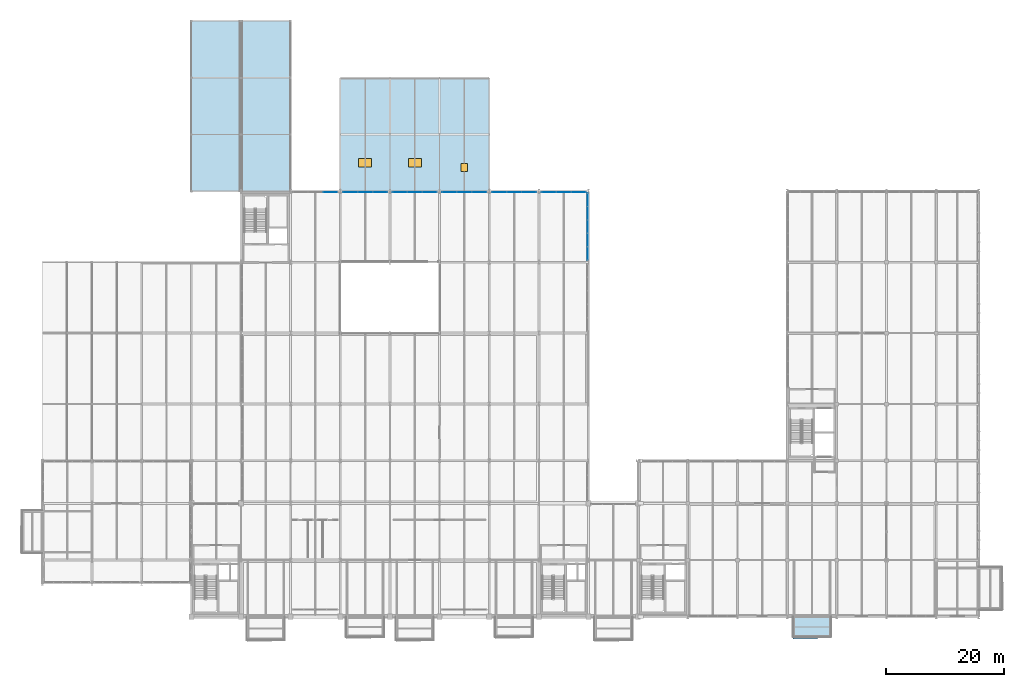
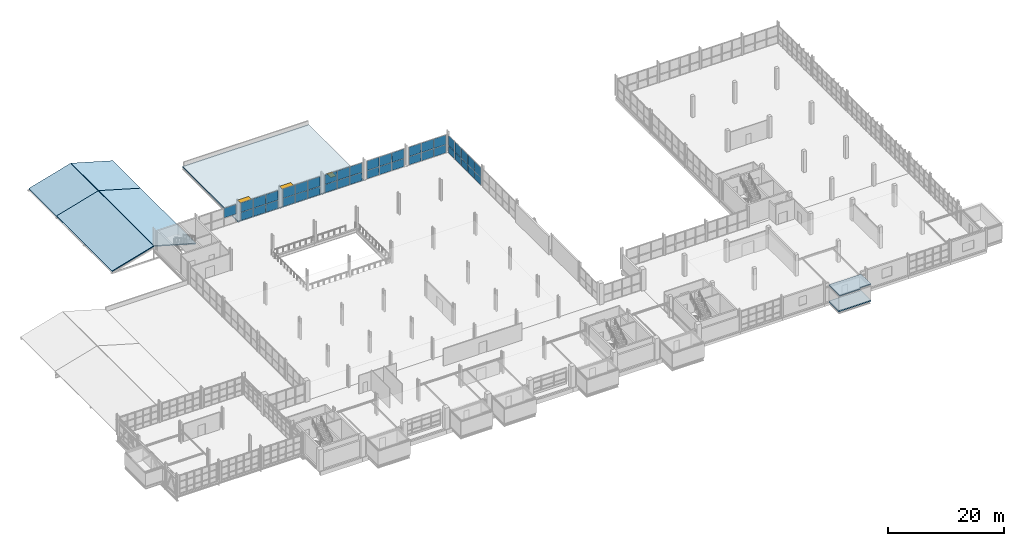
# One storey, part 109 of 130: 41 plates, 7 slabs, 2 windows, 1 door, 3 openings, 7 elements without a shape of their own.
"""IFC4 building model written with IfcOpenShell, lengths in metres."""

import ifcopenshell
import ifcopenshell.guid

model = None  # the IFC model being written
_history = None  # IfcOwnerHistory: only IFC2X3 demands one
_inside = {}  # id of a spatial element -> (the spatial element, [elements in it])
_under = {}  # id of a project, library or spatial element -> (it, [spatial elements below it])
_declared = {}  # id of a project -> (the project, [libraries it declares])
_typed = {}  # id of a type object -> (the type object, [elements of that type])
_made_of = {}  # id of a material, layer set ... -> (it, [elements and type objects made of it])


def new_model(schema):
    """Start an empty IFC model of exactly this schema.

    Asked for "IFC4X3", IfcOpenShell would pick the latest addendum, in which some entities
    have other attributes; the version numbers below select the first issue.
    IFC2X3 requires an IfcOwnerHistory on every rooted entity: one is made here for all.
    """
    global model, _history
    if schema == "IFC4X3":
        model = ifcopenshell.file(schema_version=(4, 3, 0, 0))
    else:
        model = ifcopenshell.file(schema=schema)
    _inside.clear()
    _under.clear()
    _declared.clear()
    _typed.clear()
    _made_of.clear()
    _history = None
    if model.schema == "IFC2X3":
        org = make("IfcOrganization", Name="unknown")
        user = make(
            "IfcPersonAndOrganization",
            ThePerson=make("IfcPerson", FamilyName="unknown"),
            TheOrganization=org,
        )
        app = make(
            "IfcApplication",
            ApplicationDeveloper=org,
            Version="unknown",
            ApplicationFullName="unknown",
            ApplicationIdentifier="unknown",
        )
        _history = make(
            "IfcOwnerHistory",
            OwningUser=user,
            OwningApplication=app,
            ChangeAction="ADDED",
            CreationDate=0,
        )
    return model


def make(cls, **values):
    """One entity of the class cls with the attributes given. An attribute that is None is left unset."""
    return model.create_entity(
        cls, **{name: value for name, value in values.items() if value is not None}
    )


def rooted(cls, **values):
    """An entity with a GlobalId (a new one), such as an element, a storey or a relation."""
    return make(cls, GlobalId=ifcopenshell.guid.new(), OwnerHistory=_history, **values)


def si_unit(unit_type, name, prefix=None):
    """IfcSIUnit, for example si_unit("LENGTHUNIT", "METRE", prefix="MILLI")."""
    return make("IfcSIUnit", UnitType=unit_type, Prefix=prefix, Name=name)


def assignment(units):
    """IfcUnitAssignment: the units of a project."""
    return None if units is None else make("IfcUnitAssignment", Units=units)


def point(xyz):
    """IfcCartesianPoint."""
    return None if xyz is None else make("IfcCartesianPoint", Coordinates=xyz)


def direction(xyz):
    """IfcDirection."""
    return None if xyz is None else make("IfcDirection", DirectionRatios=xyz)


def frame(location, z_axis=None, x_axis=None):
    """IfcAxis2Placement3D, a coordinate frame: its origin and axes. An axis left out is left unset."""
    return make(
        "IfcAxis2Placement3D",
        Location=point(location),
        Axis=direction(z_axis),
        RefDirection=direction(x_axis),
    )


def frame_2d(location, x_axis=None):
    """IfcAxis2Placement2D, a coordinate frame in the plane: its origin and x axis."""
    return make(
        "IfcAxis2Placement2D", Location=point(location), RefDirection=direction(x_axis)
    )


def origin():
    """The frame at (0, 0, 0) with its axes left unset."""
    return frame((0.0, 0.0, 0.0))


def origin_2d():
    """The frame at (0, 0) in the plane with its x axis left unset."""
    return frame_2d((0.0, 0.0))


def place(relative_to, where):
    """IfcLocalPlacement: puts the frame where relative to a parent placement (None: the world)."""
    return make(
        "IfcLocalPlacement", PlacementRelTo=relative_to, RelativePlacement=where
    )


def context(
    kind, dimensions, precision=None, world=None, true_north=None, identifier=None
):
    """IfcGeometricRepresentationContext, for example the 3D "Model" context."""
    return make(
        "IfcGeometricRepresentationContext",
        ContextIdentifier=identifier,
        ContextType=kind,
        CoordinateSpaceDimension=dimensions,
        Precision=precision,
        WorldCoordinateSystem=world,
        TrueNorth=true_north,
    )


def subcontext(parent, identifier, kind, view, scale=None):
    """IfcGeometricRepresentationSubContext, for example "Body" below "Model"."""
    return make(
        "IfcGeometricRepresentationSubContext",
        ContextIdentifier=identifier,
        ContextType=kind,
        ParentContext=parent,
        TargetScale=scale,
        TargetView=view,
    )


def project(units=None, contexts=None):
    """IfcProject with its units and contexts."""
    return rooted(
        "IfcProject",
        Name="project",
        RepresentationContexts=contexts,
        UnitsInContext=assignment(units),
    )


def spatial(cls, under=None, at=None, **own):
    """A site, building, storey or space (cls), placed at a placement, below another one or the project."""
    s = rooted(cls, ObjectPlacement=at, **own)
    if under is not None:
        _under.setdefault(under.id(), (under, []))[1].append(s)
    return s


def polyline(points):
    """IfcPolyline through the points."""
    return make("IfcPolyline", Points=[point(p) for p in points])


def profile(cls, at=None, kind="AREA", **sizes):
    """A parametric profile (cls). Its sizes go by their IFC names, for example OverallWidth=200.0."""
    return make(cls, ProfileType=kind, Position=at, **sizes)


def rectangle(**sizes):
    """IfcRectangleProfileDef."""
    return profile("IfcRectangleProfileDef", **sizes)


def outline(outer, holes=None, kind="AREA"):
    """IfcArbitraryClosedProfileDef: a profile drawn as a closed curve; with holes, ...WithVoids."""
    if holes is None:
        return make("IfcArbitraryClosedProfileDef", ProfileType=kind, OuterCurve=outer)
    return make(
        "IfcArbitraryProfileDefWithVoids",
        ProfileType=kind,
        OuterCurve=outer,
        InnerCurves=holes,
    )


def extrude(swept, where, along, depth):
    """IfcExtrudedAreaSolid: the profile swept, set in the frame where, extruded along a direction by depth."""
    return make(
        "IfcExtrudedAreaSolid",
        SweptArea=swept,
        Position=where,
        ExtrudedDirection=direction(along),
        Depth=depth,
    )


def shape(context_of_items, identifier, shape_type, items):
    """IfcShapeRepresentation: the items that make up one representation, for example the "Body"."""
    return make(
        "IfcShapeRepresentation",
        ContextOfItems=context_of_items,
        RepresentationIdentifier=identifier,
        RepresentationType=shape_type,
        Items=items,
    )


def material(Name=None, Category=None):
    """IfcMaterial."""
    return make("IfcMaterial", Name=Name, Category=Category)


def layer(
    of_material, thickness, ventilated=None, Name=None, Category=None, Priority=None
):
    """IfcMaterialLayer: one layer of a wall or slab, of a material (None: an air gap)."""
    return make(
        "IfcMaterialLayer",
        Material=of_material,
        LayerThickness=thickness,
        IsVentilated=ventilated,
        Name=Name,
        Category=Category,
        Priority=Priority,
    )


def layer_set(layers, Name=None):
    """IfcMaterialLayerSet."""
    return make("IfcMaterialLayerSet", MaterialLayers=layers, LayerSetName=Name)


def made_of(thing, what):
    """Note that an element or type object is made of a material, layer set ...; save() writes the relation."""
    if what is not None:
        _made_of.setdefault(what.id(), (what, []))[1].append(thing)
    return thing


def type_object(cls, material=None, **own):
    """A type object (cls), such as IfcWallType, which elements share."""
    return made_of(rooted(cls, **own), material)


def element(
    cls,
    number,
    at=None,
    inside=None,
    cuts=None,
    type_object=None,
    material=None,
    context=None,
    identifier="Body",
    shape_type=None,
    held_by="IfcProductDefinitionShape",
    body=None,
    shapes=None,
    **own,
):
    """One element of the class cls, such as IfcWall. Its Tag is "e" and its number.

    at: its placement. inside: the storey or other place that contains it. cuts: it is an
    opening in that element (IfcRelVoidsElement). A single representation is given by context,
    identifier, shape_type and body (its items); several are given by shapes. held_by: the class
    of the entity that holds the representations. save() writes the other relations.
    """
    e = rooted(cls, Tag="e%d" % number, ObjectPlacement=at, **own)
    if body is not None:
        shapes = [shape(context, identifier, shape_type, body)]
    if shapes is not None:
        e.Representation = make(held_by, Representations=shapes)
    if inside is not None:
        _inside.setdefault(inside.id(), (inside, []))[1].append(e)
    if cuts is not None:
        rooted(
            "IfcRelVoidsElement", RelatingBuildingElement=cuts, RelatedOpeningElement=e
        )
    if type_object is not None:
        _typed.setdefault(type_object.id(), (type_object, []))[1].append(e)
    return made_of(e, material)


def fill(opening, filler):
    """IfcRelFillsElement: the door or window that sits in an opening."""
    return rooted(
        "IfcRelFillsElement",
        RelatingOpeningElement=opening,
        RelatedBuildingElement=filler,
    )


def aggregate(whole, parts):
    """IfcRelAggregates: a whole, such as a stair, and the parts it consists of."""
    return rooted("IfcRelAggregates", RelatingObject=whole, RelatedObjects=parts)


def save(model, path):
    """Write the relations noted so far, then the file.

    IfcRelAggregates (storeys below a building ...), IfcRelContainedInSpatialStructure (elements
    in a storey), IfcRelDefinesByType, IfcRelAssociatesMaterial and IfcRelDeclares: one each for
    every whole, place, type object, material and project.
    """
    for whole, parts in _under.values():
        aggregate(whole, parts)
    for where, things in _inside.values():
        rooted(
            "IfcRelContainedInSpatialStructure",
            RelatedElements=things,
            RelatingStructure=where,
        )
    for kind, things in _typed.values():
        rooted("IfcRelDefinesByType", RelatedObjects=things, RelatingType=kind)
    for what, things in _made_of.values():
        rooted("IfcRelAssociatesMaterial", RelatedObjects=things, RelatingMaterial=what)
    for by, libraries in _declared.values():
        rooted("IfcRelDeclares", RelatingContext=by, RelatedDefinitions=libraries)
    model.write(path)


model = new_model("IFC4")

# Units and contexts
model_context = context("Model", 3, precision=1e-05, world=origin(), true_north=direction((0.0, 1.0)))
body_context = subcontext(model_context, "Body", "Model", "MODEL_VIEW")
ifc_project = project(units=[si_unit("LENGTHUNIT", "METRE"), si_unit("AREAUNIT", "SQUARE_METRE"), si_unit("VOLUMEUNIT", "CUBIC_METRE"), si_unit("PLANEANGLEUNIT", "RADIAN"), si_unit("MASSUNIT", "GRAM", prefix="KILO")], contexts=[model_context])

# Site, building, storey
site_placement = place(None, origin())
site = spatial("IfcSite", under=ifc_project, at=site_placement, CompositionType="ELEMENT")
building_placement = place(site_placement, origin())
building = spatial("IfcBuilding", under=site, at=building_placement, Name="Veltarok Museum of Natural Sciences", CompositionType="ELEMENT")
storey_placement = place(building_placement, frame((0.0, 0.0, 12.89990234375)))
storey = spatial("IfcBuildingStorey", under=building, at=storey_placement, Name="L02", CompositionType="ELEMENT", Elevation=12.89990234375)

# Slabs
ifc_material_1 = material(Name="Concrete C35/45", Category="concrete")
ifc_layer_1 = layer(ifc_material_1, 0.199951171875)
ifc_layer_set_1 = layer_set([ifc_layer_1], Name="Concrete C35/45")
slab_type_1 = type_object("IfcSlabType", Name="Cantilevered Cabinet Box Roof Slab 200", PredefinedType="ROOF", material=ifc_layer_set_1)
slab_1_placement = place(storey_placement, frame((0.0, 0.0, 3.25)))
element("IfcSlab", 1, at=slab_1_placement, inside=storey, type_object=slab_type_1, Name="Cabinet Box Roof Slab DB-12", PredefinedType="ROOF", context=body_context, shape_type="SweptSolid", body=[
    extrude(outline(polyline([(133.39990234375, -3.780029296875), (137.56005859375, -3.780029296875), (137.56005859375, -3.39990234375), (139.800048828125, -3.39990234375), (139.800048828125, 0.0), (133.39990234375, 0.0), (133.39990234375, -3.780029296875)])), origin(), (0.0, 0.0, 1.0), 0.2001953125),
])
ifc_material_2 = material(Name="Precast concrete C40/50", Category="concrete")
ifc_layer_2 = layer(ifc_material_2, 0.199951171875)
ifc_layer_set_2 = layer_set([ifc_layer_2], Name="Precast concrete C40/50")
slab_type_2 = type_object("IfcSlabType", Name="Glazed Passage Pitched Roof Deck 200", PredefinedType="ROOF", material=ifc_layer_set_2)
for number, where, z_axis, x_axis, name in (
    (2, (31.60009765625, 72.0, -1.699951171875), (-0.276201352534, 0.0, 0.961099793392), (0.961099793392, 0.0, 0.276201352534), "Glazed Passage Pitched Roof 1"),
    (3, (40.048095703125, 72.0, 0.7001953125), (0.276201352534, 0.0, 0.961099793392), (0.961099793392, 0.0, -0.276201352534), "Glazed Passage Pitched Roof 2"),
):
    element("IfcSlab", number, at=place(storey_placement, frame(where, z_axis=z_axis, x_axis=x_axis)), inside=storey, type_object=slab_type_2, Name=name, PredefinedType="ROOF", context=body_context, shape_type="SweptSolid", body=[
        extrude(outline(polyline([(0.0, 0.0), (8.689843342019781, 0.0), (8.689843342019781, 19.199951171875), (0.0, 19.199951171875), (0.0, 0.0)])), origin(), (0.0, 0.0, -1.0), 0.199951171875),
    ])
for number, where, z_axis, x_axis, name in (
    (4, (31.60009765625, 91.199951171875, -1.699951171875), (-0.276201352534, 0.0, 0.961099793392), (0.961099793392, 0.0, 0.276201352534), "Glazed Passage Pitched Roof 3"),
    (5, (40.048095703125, 91.199951171875, 0.7001953125), (0.276201352534, 0.0, 0.961099793392), (0.961099793392, 0.0, -0.276201352534), "Glazed Passage Pitched Roof 4"),
):
    element("IfcSlab", number, at=place(storey_placement, frame(where, z_axis=z_axis, x_axis=x_axis)), inside=storey, type_object=slab_type_2, Name=name, PredefinedType="ROOF", context=body_context, shape_type="SweptSolid", body=[
        extrude(outline(polyline([(0.0, 0.0), (8.689843342019781, 0.0), (8.689843342019781, 9.60009765625), (0.0, 9.60009765625), (0.0, 0.0)])), origin(), (0.0, 0.0, -1.0), 0.199951171875),
    ])

# Slab, openings, windows, door
ifc_layer_3 = layer(ifc_material_1, 0.239990234375)
ifc_layer_set_3 = layer_set([ifc_layer_3], Name="Concrete C35/45")
slab_type_3 = type_object("IfcSlabType", Name="Insulated Flat Wing Roof Slab 240", PredefinedType="ROOF", material=ifc_layer_set_3)
slab_2_placement = place(storey_placement, frame((0.0, 0.0, -0.239990234375)))
slab_2 = element("IfcSlab", 6, at=slab_2_placement, inside=storey, type_object=slab_type_3, Name="Flat Wing Roof Slab RF-V2N", PredefinedType="ROOF", context=body_context, shape_type="SweptSolid", body=[
    extrude(outline(polyline([(56.800048828125, 72.0), (56.800048828125, 91.199951171875), (82.0, 91.199951171875), (82.0, 72.0), (56.800048828125, 72.0)])), origin(), (0.0, 0.0, 1.0), 0.239990234375),
])
opening_1_placement = place(slab_2_placement, frame((61.0, 76.800048828125, -0.010009765625)))
opening_1 = element("IfcOpeningElement", 7, at=opening_1_placement, cuts=slab_2, Name="Opening SK-17", PredefinedType="OPENING", context=body_context, shape_type="SweptSolid", body=[
    extrude(rectangle(XDim=2.199951171875, YDim=1.39990234375, at=origin_2d()), origin(), (0.0, 0.0, 1.0), 0.320068359375),
])
opening_2_placement = place(slab_2_placement, frame((69.39990234375, 76.800048828125, -0.010009765625)))
opening_2 = element("IfcOpeningElement", 8, at=opening_2_placement, cuts=slab_2, Name="Opening SK-18", PredefinedType="OPENING", context=body_context, shape_type="SweptSolid", body=[
    extrude(rectangle(XDim=2.199951171875, YDim=1.39990234375, at=origin_2d()), origin(), (0.0, 0.0, 1.0), 0.320068359375),
])
opening_3_placement = place(slab_2_placement, frame((77.800048828125, 76.0, -0.010009765625)))
opening_3 = element("IfcOpeningElement", 9, at=opening_3_placement, cuts=slab_2, Name="Opening HT-02", PredefinedType="OPENING", context=body_context, shape_type="SweptSolid", body=[
    extrude(rectangle(XDim=1.10009765625, YDim=1.39990234375, at=origin_2d()), origin(), (0.0, 0.0, 1.0), 0.320068359375),
])
ifc_material_3 = material(Name="Low-iron triple insulated glass", Category="glass")
window_type = type_object("IfcWindowType", Name="Cabinet Spine Gallery Skylight 2200x1400", PartitioningType="SINGLE_PANEL", PredefinedType="SKYLIGHT", material=ifc_material_3)
window_1_placement = place(slab_2_placement, frame((61.0, 76.800048828125, 0.239990234375)))
window_1 = element("IfcWindow", 10, at=window_1_placement, inside=storey, type_object=window_type, Name="Gallery Rooflight SK-17", OverallHeight=1.39990234375, OverallWidth=2.199951171875, PartitioningType="SINGLE_PANEL", PredefinedType="SKYLIGHT", context=body_context, shape_type="SweptSolid", body=[
    extrude(rectangle(XDim=2.199951171875, YDim=1.39990234375, at=origin_2d()), origin(), (0.0, 0.0, 1.0), 0.06005859375),
])
fill(opening_1, window_1)
window_2_placement = place(slab_2_placement, frame((69.39990234375, 76.800048828125, 0.239990234375)))
window_2 = element("IfcWindow", 11, at=window_2_placement, inside=storey, type_object=window_type, Name="Gallery Rooflight SK-18", OverallHeight=1.39990234375, OverallWidth=2.199951171875, PartitioningType="SINGLE_PANEL", PredefinedType="SKYLIGHT", context=body_context, shape_type="SweptSolid", body=[
    extrude(rectangle(XDim=2.199951171875, YDim=1.39990234375, at=origin_2d()), origin(), (0.0, 0.0, 1.0), 0.06005859375),
])
fill(opening_2, window_2)
ifc_material_4 = material(Name="Insulated aluminium curb hatch", Category="aluminium")
door_type = type_object("IfcDoorType", Name="Insulated Roof Maintenance Access Hatch 1100x1400", OperationType="SINGLE_SWING_LEFT", PredefinedType="TRAPDOOR", material=ifc_material_4)
door_placement = place(slab_2_placement, frame((77.800048828125, 76.0, 0.239990234375)))
door = element("IfcDoor", 12, at=door_placement, inside=storey, type_object=door_type, Name="Roof Maintenance Access Hatch HT-02", OperationType="SINGLE_SWING_LEFT", OverallHeight=1.39990234375, OverallWidth=1.10009765625, PredefinedType="TRAPDOOR", context=body_context, shape_type="SweptSolid", body=[
    extrude(rectangle(XDim=1.10009765625, YDim=1.39990234375, at=origin_2d()), origin(), (0.0, 0.0, 1.0), 0.06005859375),
])
fill(opening_3, door)

# Slab
ifc_layer_4 = layer(ifc_material_1, 0.25)
ifc_layer_set_4 = layer_set([ifc_layer_4], Name="Concrete C35/45")
slab_type_4 = type_object("IfcSlabType", Name="Suspended Museum Floor Slab 250", PredefinedType="FLOOR", material=ifc_layer_set_4)
slab_3_placement = place(storey_placement, frame((0.0, 0.0, -0.25)))
element("IfcSlab", 13, at=slab_3_placement, inside=storey, type_object=slab_type_4, Name="Cabinet Box Floor Slab DB-12", PredefinedType="FLOOR", context=body_context, shape_type="SweptSolid", body=[
    extrude(outline(polyline([(133.39990234375, -3.39990234375), (139.800048828125, -3.39990234375), (139.800048828125, 0.0), (133.39990234375, 0.0), (133.39990234375, -3.39990234375)])), origin(), (0.0, 0.0, 1.0), 0.25),
])

# Curtain wall, plate
curtain_wall_type_1 = type_object("IfcCurtainWallType", Name="Curtain Wall System CW-V2N-L02-6-756x388 (V2 North Hall L02 6-7 756x388cm)", PredefinedType="NOTDEFINED", material=ifc_material_3)
curtain_wall_1_placement = place(storey_placement, origin())
curtain_wall_1 = element("IfcCurtainWall", 14, at=curtain_wall_1_placement, inside=storey, type_object=curtain_wall_type_1, Name="Curtain Wall CW-V2N-L02-6-756x388 CW-0049", PredefinedType="NOTDEFINED")
ifc_layer_5 = layer(ifc_material_3, 0.028076171875)
ifc_layer_set_5 = layer_set([ifc_layer_5], Name="Low-iron triple insulated glass")
plate_type = type_object("IfcPlateType", Name="Triple Low-Iron Glazed Vision Panel 28", PredefinedType="CURTAIN_PANEL", material=ifc_layer_set_5)
plate_1_placement = place(storey_placement, frame((55.10498046875, 71.85009765625, 1.830078125), z_axis=(0.0, 0.0, 1.0), x_axis=(-1.0, 0.0, 0.0)))
plate_1 = element("IfcPlate", 15, at=plate_1_placement, type_object=plate_type, Name="CW-V2N-L02-6-756x388 panel 1.2", PredefinedType="CURTAIN_PANEL", context=body_context, shape_type="SweptSolid", body=[
    extrude(rectangle(XDim=2.429931640625, YDim=0.028076171875, at=origin_2d()), origin(), (0.0, 0.0, 1.0), 1.989990234375),
])
aggregate(curtain_wall_1, [plate_1])

# Curtain wall, plates
curtain_wall_type_2 = type_object("IfcCurtainWallType", Name="Curtain Wall System CW-V2N-L02-7-756x388 (V2 North Hall L02 7-8 756x388cm)", PredefinedType="NOTDEFINED", material=ifc_material_3)
curtain_wall_2_placement = place(storey_placement, origin())
curtain_wall_2 = element("IfcCurtainWall", 16, at=curtain_wall_2_placement, inside=storey, type_object=curtain_wall_type_2, Name="Curtain Wall CW-V2N-L02-7-756x388 CW-0050", PredefinedType="NOTDEFINED")
plate_2_placement = place(storey_placement, frame((63.5048828125, 71.85009765625, 0.06005859375), z_axis=(0.0, 0.0, 1.0), x_axis=(-1.0, 0.0, 0.0)))
plate_2 = element("IfcPlate", 17, at=plate_2_placement, type_object=plate_type, Name="CW-V2N-L02-7-756x388 panel 1.1", PredefinedType="CURTAIN_PANEL", context=body_context, shape_type="SweptSolid", body=[
    extrude(rectangle(XDim=2.429931640625, YDim=0.028076171875, at=origin_2d()), origin(), (0.0, 0.0, 1.0), 1.7099609375),
])
plate_3_placement = place(storey_placement, frame((63.5048828125, 71.85009765625, 1.830078125), z_axis=(0.0, 0.0, 1.0), x_axis=(-1.0, 0.0, 0.0)))
plate_3 = element("IfcPlate", 18, at=plate_3_placement, type_object=plate_type, Name="CW-V2N-L02-7-756x388 panel 1.2", PredefinedType="CURTAIN_PANEL", context=body_context, shape_type="SweptSolid", body=[
    extrude(rectangle(XDim=2.429931640625, YDim=0.028076171875, at=origin_2d()), origin(), (0.0, 0.0, 1.0), 1.989990234375),
])
plate_4_placement = place(storey_placement, frame((61.0, 71.85009765625, 0.06005859375), z_axis=(0.0, 0.0, 1.0), x_axis=(-1.0, 0.0, 0.0)))
plate_4 = element("IfcPlate", 19, at=plate_4_placement, type_object=plate_type, Name="CW-V2N-L02-7-756x388 panel 2.1", PredefinedType="CURTAIN_PANEL", context=body_context, shape_type="SweptSolid", body=[
    extrude(rectangle(XDim=2.4599609375, YDim=0.028076171875, at=origin_2d()), origin(), (0.0, 0.0, 1.0), 1.7099609375),
])
plate_5_placement = place(storey_placement, frame((61.0, 71.85009765625, 1.830078125), z_axis=(0.0, 0.0, 1.0), x_axis=(-1.0, 0.0, 0.0)))
plate_5 = element("IfcPlate", 20, at=plate_5_placement, type_object=plate_type, Name="CW-V2N-L02-7-756x388 panel 2.2", PredefinedType="CURTAIN_PANEL", context=body_context, shape_type="SweptSolid", body=[
    extrude(rectangle(XDim=2.4599609375, YDim=0.028076171875, at=origin_2d()), origin(), (0.0, 0.0, 1.0), 1.989990234375),
])
plate_6_placement = place(storey_placement, frame((58.4951171875, 71.85009765625, 0.06005859375), z_axis=(0.0, 0.0, 1.0), x_axis=(-1.0, 0.0, 0.0)))
plate_6 = element("IfcPlate", 21, at=plate_6_placement, type_object=plate_type, Name="CW-V2N-L02-7-756x388 panel 3.1", PredefinedType="CURTAIN_PANEL", context=body_context, shape_type="SweptSolid", body=[
    extrude(rectangle(XDim=2.429931640625, YDim=0.028076171875, at=origin_2d()), origin(), (0.0, 0.0, 1.0), 1.7099609375),
])
plate_7_placement = place(storey_placement, frame((58.4951171875, 71.85009765625, 1.830078125), z_axis=(0.0, 0.0, 1.0), x_axis=(-1.0, 0.0, 0.0)))
plate_7 = element("IfcPlate", 22, at=plate_7_placement, type_object=plate_type, Name="CW-V2N-L02-7-756x388 panel 3.2", PredefinedType="CURTAIN_PANEL", context=body_context, shape_type="SweptSolid", body=[
    extrude(rectangle(XDim=2.429931640625, YDim=0.028076171875, at=origin_2d()), origin(), (0.0, 0.0, 1.0), 1.989990234375),
])
aggregate(curtain_wall_2, [plate_2, plate_3, plate_4, plate_5, plate_6, plate_7])

curtain_wall_type_3 = type_object("IfcCurtainWallType", Name="Curtain Wall System CW-V2N-L02-8-756x388 (V2 North Hall L02 8-9 756x388cm)", PredefinedType="NOTDEFINED", material=ifc_material_3)
curtain_wall_3_placement = place(storey_placement, origin())
curtain_wall_3 = element("IfcCurtainWall", 23, at=curtain_wall_3_placement, inside=storey, type_object=curtain_wall_type_3, Name="Curtain Wall CW-V2N-L02-8-756x388 CW-0051", PredefinedType="NOTDEFINED")
plate_8_placement = place(storey_placement, frame((71.905029296875, 71.85009765625, 0.06005859375), z_axis=(0.0, 0.0, 1.0), x_axis=(-1.0, 0.0, 0.0)))
plate_8 = element("IfcPlate", 24, at=plate_8_placement, type_object=plate_type, Name="CW-V2N-L02-8-756x388 panel 1.1", PredefinedType="CURTAIN_PANEL", context=body_context, shape_type="SweptSolid", body=[
    extrude(rectangle(XDim=2.429931640625, YDim=0.028076171875, at=origin_2d()), origin(), (0.0, 0.0, 1.0), 1.7099609375),
])
plate_9_placement = place(storey_placement, frame((71.905029296875, 71.85009765625, 1.830078125), z_axis=(0.0, 0.0, 1.0), x_axis=(-1.0, 0.0, 0.0)))
plate_9 = element("IfcPlate", 25, at=plate_9_placement, type_object=plate_type, Name="CW-V2N-L02-8-756x388 panel 1.2", PredefinedType="CURTAIN_PANEL", context=body_context, shape_type="SweptSolid", body=[
    extrude(rectangle(XDim=2.429931640625, YDim=0.028076171875, at=origin_2d()), origin(), (0.0, 0.0, 1.0), 1.989990234375),
])
plate_10_placement = place(storey_placement, frame((69.39990234375, 71.85009765625, 0.06005859375), z_axis=(0.0, 0.0, 1.0), x_axis=(-1.0, 0.0, 0.0)))
plate_10 = element("IfcPlate", 26, at=plate_10_placement, type_object=plate_type, Name="CW-V2N-L02-8-756x388 panel 2.1", PredefinedType="CURTAIN_PANEL", context=body_context, shape_type="SweptSolid", body=[
    extrude(rectangle(XDim=2.4599609375, YDim=0.028076171875, at=origin_2d()), origin(), (0.0, 0.0, 1.0), 1.7099609375),
])
plate_11_placement = place(storey_placement, frame((69.39990234375, 71.85009765625, 1.830078125), z_axis=(0.0, 0.0, 1.0), x_axis=(-1.0, 0.0, 0.0)))
plate_11 = element("IfcPlate", 27, at=plate_11_placement, type_object=plate_type, Name="CW-V2N-L02-8-756x388 panel 2.2", PredefinedType="CURTAIN_PANEL", context=body_context, shape_type="SweptSolid", body=[
    extrude(rectangle(XDim=2.4599609375, YDim=0.028076171875, at=origin_2d()), origin(), (0.0, 0.0, 1.0), 1.989990234375),
])
plate_12_placement = place(storey_placement, frame((66.89501953125, 71.85009765625, 0.06005859375), z_axis=(0.0, 0.0, 1.0), x_axis=(-1.0, 0.0, 0.0)))
plate_12 = element("IfcPlate", 28, at=plate_12_placement, type_object=plate_type, Name="CW-V2N-L02-8-756x388 panel 3.1", PredefinedType="CURTAIN_PANEL", context=body_context, shape_type="SweptSolid", body=[
    extrude(rectangle(XDim=2.429931640625, YDim=0.028076171875, at=origin_2d()), origin(), (0.0, 0.0, 1.0), 1.7099609375),
])
plate_13_placement = place(storey_placement, frame((66.89501953125, 71.85009765625, 1.830078125), z_axis=(0.0, 0.0, 1.0), x_axis=(-1.0, 0.0, 0.0)))
plate_13 = element("IfcPlate", 29, at=plate_13_placement, type_object=plate_type, Name="CW-V2N-L02-8-756x388 panel 3.2", PredefinedType="CURTAIN_PANEL", context=body_context, shape_type="SweptSolid", body=[
    extrude(rectangle(XDim=2.429931640625, YDim=0.028076171875, at=origin_2d()), origin(), (0.0, 0.0, 1.0), 1.989990234375),
])
aggregate(curtain_wall_3, [plate_8, plate_9, plate_10, plate_11, plate_12, plate_13])

curtain_wall_type_4 = type_object("IfcCurtainWallType", Name="Curtain Wall System CW-V2N-L02-9-756x388 (V2 North Hall L02 9-10 756x388cm)", PredefinedType="NOTDEFINED", material=ifc_material_3)
curtain_wall_4_placement = place(storey_placement, origin())
curtain_wall_4 = element("IfcCurtainWall", 30, at=curtain_wall_4_placement, inside=storey, type_object=curtain_wall_type_4, Name="Curtain Wall CW-V2N-L02-9-756x388 CW-0052", PredefinedType="NOTDEFINED")
plate_14_placement = place(storey_placement, frame((80.304931640625, 71.85009765625, 0.06005859375), z_axis=(0.0, 0.0, 1.0), x_axis=(-1.0, 0.0, 0.0)))
plate_14 = element("IfcPlate", 31, at=plate_14_placement, type_object=plate_type, Name="CW-V2N-L02-9-756x388 panel 1.1", PredefinedType="CURTAIN_PANEL", context=body_context, shape_type="SweptSolid", body=[
    extrude(rectangle(XDim=2.429931640625, YDim=0.028076171875, at=origin_2d()), origin(), (0.0, 0.0, 1.0), 1.7099609375),
])
plate_15_placement = place(storey_placement, frame((80.304931640625, 71.85009765625, 1.830078125), z_axis=(0.0, 0.0, 1.0), x_axis=(-1.0, 0.0, 0.0)))
plate_15 = element("IfcPlate", 32, at=plate_15_placement, type_object=plate_type, Name="CW-V2N-L02-9-756x388 panel 1.2", PredefinedType="CURTAIN_PANEL", context=body_context, shape_type="SweptSolid", body=[
    extrude(rectangle(XDim=2.429931640625, YDim=0.028076171875, at=origin_2d()), origin(), (0.0, 0.0, 1.0), 1.989990234375),
])
plate_16_placement = place(storey_placement, frame((77.800048828125, 71.85009765625, 0.06005859375), z_axis=(0.0, 0.0, 1.0), x_axis=(-1.0, 0.0, 0.0)))
plate_16 = element("IfcPlate", 33, at=plate_16_placement, type_object=plate_type, Name="CW-V2N-L02-9-756x388 panel 2.1", PredefinedType="CURTAIN_PANEL", context=body_context, shape_type="SweptSolid", body=[
    extrude(rectangle(XDim=2.4599609375, YDim=0.028076171875, at=origin_2d()), origin(), (0.0, 0.0, 1.0), 1.7099609375),
])
plate_17_placement = place(storey_placement, frame((77.800048828125, 71.85009765625, 1.830078125), z_axis=(0.0, 0.0, 1.0), x_axis=(-1.0, 0.0, 0.0)))
plate_17 = element("IfcPlate", 34, at=plate_17_placement, type_object=plate_type, Name="CW-V2N-L02-9-756x388 panel 2.2", PredefinedType="CURTAIN_PANEL", context=body_context, shape_type="SweptSolid", body=[
    extrude(rectangle(XDim=2.4599609375, YDim=0.028076171875, at=origin_2d()), origin(), (0.0, 0.0, 1.0), 1.989990234375),
])
plate_18_placement = place(storey_placement, frame((75.294921875, 71.85009765625, 0.06005859375), z_axis=(0.0, 0.0, 1.0), x_axis=(-1.0, 0.0, 0.0)))
plate_18 = element("IfcPlate", 35, at=plate_18_placement, type_object=plate_type, Name="CW-V2N-L02-9-756x388 panel 3.1", PredefinedType="CURTAIN_PANEL", context=body_context, shape_type="SweptSolid", body=[
    extrude(rectangle(XDim=2.429931640625, YDim=0.028076171875, at=origin_2d()), origin(), (0.0, 0.0, 1.0), 1.7099609375),
])
plate_19_placement = place(storey_placement, frame((75.294921875, 71.85009765625, 1.830078125), z_axis=(0.0, 0.0, 1.0), x_axis=(-1.0, 0.0, 0.0)))
plate_19 = element("IfcPlate", 36, at=plate_19_placement, type_object=plate_type, Name="CW-V2N-L02-9-756x388 panel 3.2", PredefinedType="CURTAIN_PANEL", context=body_context, shape_type="SweptSolid", body=[
    extrude(rectangle(XDim=2.429931640625, YDim=0.028076171875, at=origin_2d()), origin(), (0.0, 0.0, 1.0), 1.989990234375),
])
aggregate(curtain_wall_4, [plate_14, plate_15, plate_16, plate_17, plate_18, plate_19])

curtain_wall_type_5 = type_object("IfcCurtainWallType", Name="Curtain Wall System CW-V2N-L02-10-756x388 (V2 North Hall L02 10-11 756x388cm)", PredefinedType="NOTDEFINED", material=ifc_material_3)
curtain_wall_5_placement = place(storey_placement, origin())
curtain_wall_5 = element("IfcCurtainWall", 37, at=curtain_wall_5_placement, inside=storey, type_object=curtain_wall_type_5, Name="Curtain Wall CW-V2N-L02-10-756x388 CW-0053", PredefinedType="NOTDEFINED")
plate_20_placement = place(storey_placement, frame((88.705078125, 71.85009765625, 0.06005859375), z_axis=(0.0, 0.0, 1.0), x_axis=(-1.0, 0.0, 0.0)))
plate_20 = element("IfcPlate", 38, at=plate_20_placement, type_object=plate_type, Name="CW-V2N-L02-10-756x388 panel 1.1", PredefinedType="CURTAIN_PANEL", context=body_context, shape_type="SweptSolid", body=[
    extrude(rectangle(XDim=2.429931640625, YDim=0.028076171875, at=origin_2d()), origin(), (0.0, 0.0, 1.0), 1.7099609375),
])
plate_21_placement = place(storey_placement, frame((88.705078125, 71.85009765625, 1.830078125), z_axis=(0.0, 0.0, 1.0), x_axis=(-1.0, 0.0, 0.0)))
plate_21 = element("IfcPlate", 39, at=plate_21_placement, type_object=plate_type, Name="CW-V2N-L02-10-756x388 panel 1.2", PredefinedType="CURTAIN_PANEL", context=body_context, shape_type="SweptSolid", body=[
    extrude(rectangle(XDim=2.429931640625, YDim=0.028076171875, at=origin_2d()), origin(), (0.0, 0.0, 1.0), 1.989990234375),
])
plate_22_placement = place(storey_placement, frame((86.199951171875, 71.85009765625, 0.06005859375), z_axis=(0.0, 0.0, 1.0), x_axis=(-1.0, 0.0, 0.0)))
plate_22 = element("IfcPlate", 40, at=plate_22_placement, type_object=plate_type, Name="CW-V2N-L02-10-756x388 panel 2.1", PredefinedType="CURTAIN_PANEL", context=body_context, shape_type="SweptSolid", body=[
    extrude(rectangle(XDim=2.4599609375, YDim=0.028076171875, at=origin_2d()), origin(), (0.0, 0.0, 1.0), 1.7099609375),
])
plate_23_placement = place(storey_placement, frame((86.199951171875, 71.85009765625, 1.830078125), z_axis=(0.0, 0.0, 1.0), x_axis=(-1.0, 0.0, 0.0)))
plate_23 = element("IfcPlate", 41, at=plate_23_placement, type_object=plate_type, Name="CW-V2N-L02-10-756x388 panel 2.2", PredefinedType="CURTAIN_PANEL", context=body_context, shape_type="SweptSolid", body=[
    extrude(rectangle(XDim=2.4599609375, YDim=0.028076171875, at=origin_2d()), origin(), (0.0, 0.0, 1.0), 1.989990234375),
])
plate_24_placement = place(storey_placement, frame((83.695068359375, 71.85009765625, 0.06005859375), z_axis=(0.0, 0.0, 1.0), x_axis=(-1.0, 0.0, 0.0)))
plate_24 = element("IfcPlate", 42, at=plate_24_placement, type_object=plate_type, Name="CW-V2N-L02-10-756x388 panel 3.1", PredefinedType="CURTAIN_PANEL", context=body_context, shape_type="SweptSolid", body=[
    extrude(rectangle(XDim=2.429931640625, YDim=0.028076171875, at=origin_2d()), origin(), (0.0, 0.0, 1.0), 1.7099609375),
])
plate_25_placement = place(storey_placement, frame((83.695068359375, 71.85009765625, 1.830078125), z_axis=(0.0, 0.0, 1.0), x_axis=(-1.0, 0.0, 0.0)))
plate_25 = element("IfcPlate", 43, at=plate_25_placement, type_object=plate_type, Name="CW-V2N-L02-10-756x388 panel 3.2", PredefinedType="CURTAIN_PANEL", context=body_context, shape_type="SweptSolid", body=[
    extrude(rectangle(XDim=2.429931640625, YDim=0.028076171875, at=origin_2d()), origin(), (0.0, 0.0, 1.0), 1.989990234375),
])
aggregate(curtain_wall_5, [plate_20, plate_21, plate_22, plate_23, plate_24, plate_25])

curtain_wall_type_6 = type_object("IfcCurtainWallType", Name="Curtain Wall System CW-V2N-L02-11-756x388 (V2 North Hall L02 11-12 756x388cm)", PredefinedType="NOTDEFINED", material=ifc_material_3)
curtain_wall_6_placement = place(storey_placement, origin())
curtain_wall_6 = element("IfcCurtainWall", 44, at=curtain_wall_6_placement, inside=storey, type_object=curtain_wall_type_6, Name="Curtain Wall CW-V2N-L02-11-756x388 CW-0054", PredefinedType="NOTDEFINED")
plate_26_placement = place(storey_placement, frame((97.10498046875, 71.85009765625, 0.06005859375), z_axis=(0.0, 0.0, 1.0), x_axis=(-1.0, 0.0, 0.0)))
plate_26 = element("IfcPlate", 45, at=plate_26_placement, type_object=plate_type, Name="CW-V2N-L02-11-756x388 panel 1.1", PredefinedType="CURTAIN_PANEL", context=body_context, shape_type="SweptSolid", body=[
    extrude(rectangle(XDim=2.429931640625, YDim=0.028076171875, at=origin_2d()), origin(), (0.0, 0.0, 1.0), 1.7099609375),
])
plate_27_placement = place(storey_placement, frame((97.10498046875, 71.85009765625, 1.830078125), z_axis=(0.0, 0.0, 1.0), x_axis=(-1.0, 0.0, 0.0)))
plate_27 = element("IfcPlate", 46, at=plate_27_placement, type_object=plate_type, Name="CW-V2N-L02-11-756x388 panel 1.2", PredefinedType="CURTAIN_PANEL", context=body_context, shape_type="SweptSolid", body=[
    extrude(rectangle(XDim=2.429931640625, YDim=0.028076171875, at=origin_2d()), origin(), (0.0, 0.0, 1.0), 1.989990234375),
])
plate_28_placement = place(storey_placement, frame((94.60009765625, 71.85009765625, 0.06005859375), z_axis=(0.0, 0.0, 1.0), x_axis=(-1.0, 0.0, 0.0)))
plate_28 = element("IfcPlate", 47, at=plate_28_placement, type_object=plate_type, Name="CW-V2N-L02-11-756x388 panel 2.1", PredefinedType="CURTAIN_PANEL", context=body_context, shape_type="SweptSolid", body=[
    extrude(rectangle(XDim=2.4599609375, YDim=0.028076171875, at=origin_2d()), origin(), (0.0, 0.0, 1.0), 1.7099609375),
])
plate_29_placement = place(storey_placement, frame((94.60009765625, 71.85009765625, 1.830078125), z_axis=(0.0, 0.0, 1.0), x_axis=(-1.0, 0.0, 0.0)))
plate_29 = element("IfcPlate", 48, at=plate_29_placement, type_object=plate_type, Name="CW-V2N-L02-11-756x388 panel 2.2", PredefinedType="CURTAIN_PANEL", context=body_context, shape_type="SweptSolid", body=[
    extrude(rectangle(XDim=2.4599609375, YDim=0.028076171875, at=origin_2d()), origin(), (0.0, 0.0, 1.0), 1.989990234375),
])
plate_30_placement = place(storey_placement, frame((92.094970703125, 71.85009765625, 0.06005859375), z_axis=(0.0, 0.0, 1.0), x_axis=(-1.0, 0.0, 0.0)))
plate_30 = element("IfcPlate", 49, at=plate_30_placement, type_object=plate_type, Name="CW-V2N-L02-11-756x388 panel 3.1", PredefinedType="CURTAIN_PANEL", context=body_context, shape_type="SweptSolid", body=[
    extrude(rectangle(XDim=2.429931640625, YDim=0.028076171875, at=origin_2d()), origin(), (0.0, 0.0, 1.0), 1.7099609375),
])
plate_31_placement = place(storey_placement, frame((92.094970703125, 71.85009765625, 1.830078125), z_axis=(0.0, 0.0, 1.0), x_axis=(-1.0, 0.0, 0.0)))
plate_31 = element("IfcPlate", 50, at=plate_31_placement, type_object=plate_type, Name="CW-V2N-L02-11-756x388 panel 3.2", PredefinedType="CURTAIN_PANEL", context=body_context, shape_type="SweptSolid", body=[
    extrude(rectangle(XDim=2.429931640625, YDim=0.028076171875, at=origin_2d()), origin(), (0.0, 0.0, 1.0), 1.989990234375),
])
aggregate(curtain_wall_6, [plate_26, plate_27, plate_28, plate_29, plate_30, plate_31])

curtain_wall_type_7 = type_object("IfcCurtainWallType", Name="Curtain Wall System CW-V2E-L02-1-1140x383 (CW-V2E L02 1140x383cm)", PredefinedType="NOTDEFINED", material=ifc_material_3)
curtain_wall_7_placement = place(storey_placement, origin())
curtain_wall_7 = element("IfcCurtainWall", 51, at=curtain_wall_7_placement, inside=storey, type_object=curtain_wall_type_7, Name="Curtain Wall CW-V2E-L02-1-1140x383 CW-0133", PredefinedType="NOTDEFINED")
plate_32_placement = place(storey_placement, frame((98.64990234375, 61.455078125, 0.05810546875), z_axis=(0.0, 0.0, 1.0), x_axis=(0.0, 1.0, 0.0)))
plate_32 = element("IfcPlate", 52, at=plate_32_placement, type_object=plate_type, Name="CW-V2E-L02-1-1140x383 panel 1.1", PredefinedType="CURTAIN_PANEL", context=body_context, shape_type="SweptSolid", body=[
    extrude(rectangle(XDim=2.18994140625, YDim=0.028076171875, at=origin_2d()), origin(), (0.0, 0.0, 1.0), 1.56005859375),
])
plate_33_placement = place(storey_placement, frame((98.64990234375, 61.455078125, 1.67822265625), z_axis=(0.0, 0.0, 1.0), x_axis=(0.0, 1.0, 0.0)))
plate_33 = element("IfcPlate", 53, at=plate_33_placement, type_object=plate_type, Name="CW-V2E-L02-1-1140x383 panel 1.2", PredefinedType="CURTAIN_PANEL", context=body_context, shape_type="SweptSolid", body=[
    extrude(rectangle(XDim=2.18994140625, YDim=0.028076171875, at=origin_2d()), origin(), (0.0, 0.0, 1.0), 2.092041015625),
])
plate_34_placement = place(storey_placement, frame((98.64990234375, 63.719970703125, 0.05810546875), z_axis=(0.0, 0.0, 1.0), x_axis=(0.0, 1.0, 0.0)))
plate_34 = element("IfcPlate", 54, at=plate_34_placement, type_object=plate_type, Name="CW-V2E-L02-1-1140x383 panel 2.1", PredefinedType="CURTAIN_PANEL", context=body_context, shape_type="SweptSolid", body=[
    extrude(rectangle(XDim=2.219970703125, YDim=0.028076171875, at=origin_2d()), origin(), (0.0, 0.0, 1.0), 1.56005859375),
])
plate_35_placement = place(storey_placement, frame((98.64990234375, 63.719970703125, 1.67822265625), z_axis=(0.0, 0.0, 1.0), x_axis=(0.0, 1.0, 0.0)))
plate_35 = element("IfcPlate", 55, at=plate_35_placement, type_object=plate_type, Name="CW-V2E-L02-1-1140x383 panel 2.2", PredefinedType="CURTAIN_PANEL", context=body_context, shape_type="SweptSolid", body=[
    extrude(rectangle(XDim=2.219970703125, YDim=0.028076171875, at=origin_2d()), origin(), (0.0, 0.0, 1.0), 2.092041015625),
])
plate_36_placement = place(storey_placement, frame((98.64990234375, 66.0, 0.05810546875), z_axis=(0.0, 0.0, 1.0), x_axis=(0.0, 1.0, 0.0)))
plate_36 = element("IfcPlate", 56, at=plate_36_placement, type_object=plate_type, Name="CW-V2E-L02-1-1140x383 panel 3.1", PredefinedType="CURTAIN_PANEL", context=body_context, shape_type="SweptSolid", body=[
    extrude(rectangle(XDim=2.219970703125, YDim=0.028076171875, at=origin_2d()), origin(), (0.0, 0.0, 1.0), 1.56005859375),
])
plate_37_placement = place(storey_placement, frame((98.64990234375, 66.0, 1.67822265625), z_axis=(0.0, 0.0, 1.0), x_axis=(0.0, 1.0, 0.0)))
plate_37 = element("IfcPlate", 57, at=plate_37_placement, type_object=plate_type, Name="CW-V2E-L02-1-1140x383 panel 3.2", PredefinedType="CURTAIN_PANEL", context=body_context, shape_type="SweptSolid", body=[
    extrude(rectangle(XDim=2.219970703125, YDim=0.028076171875, at=origin_2d()), origin(), (0.0, 0.0, 1.0), 2.092041015625),
])
plate_38_placement = place(storey_placement, frame((98.64990234375, 68.280029296875, 0.05810546875), z_axis=(0.0, 0.0, 1.0), x_axis=(0.0, 1.0, 0.0)))
plate_38 = element("IfcPlate", 58, at=plate_38_placement, type_object=plate_type, Name="CW-V2E-L02-1-1140x383 panel 4.1", PredefinedType="CURTAIN_PANEL", context=body_context, shape_type="SweptSolid", body=[
    extrude(rectangle(XDim=2.219970703125, YDim=0.028076171875, at=origin_2d()), origin(), (0.0, 0.0, 1.0), 1.56005859375),
])
plate_39_placement = place(storey_placement, frame((98.64990234375, 68.280029296875, 1.67822265625), z_axis=(0.0, 0.0, 1.0), x_axis=(0.0, 1.0, 0.0)))
plate_39 = element("IfcPlate", 59, at=plate_39_placement, type_object=plate_type, Name="CW-V2E-L02-1-1140x383 panel 4.2", PredefinedType="CURTAIN_PANEL", context=body_context, shape_type="SweptSolid", body=[
    extrude(rectangle(XDim=2.219970703125, YDim=0.028076171875, at=origin_2d()), origin(), (0.0, 0.0, 1.0), 2.092041015625),
])
plate_40_placement = place(storey_placement, frame((98.64990234375, 70.544921875, 0.05810546875), z_axis=(0.0, 0.0, 1.0), x_axis=(0.0, 1.0, 0.0)))
plate_40 = element("IfcPlate", 60, at=plate_40_placement, type_object=plate_type, Name="CW-V2E-L02-1-1140x383 panel 5.1", PredefinedType="CURTAIN_PANEL", context=body_context, shape_type="SweptSolid", body=[
    extrude(rectangle(XDim=2.18994140625, YDim=0.028076171875, at=origin_2d()), origin(), (0.0, 0.0, 1.0), 1.56005859375),
])
plate_41_placement = place(storey_placement, frame((98.64990234375, 70.544921875, 1.67822265625), z_axis=(0.0, 0.0, 1.0), x_axis=(0.0, 1.0, 0.0)))
plate_41 = element("IfcPlate", 61, at=plate_41_placement, type_object=plate_type, Name="CW-V2E-L02-1-1140x383 panel 5.2", PredefinedType="CURTAIN_PANEL", context=body_context, shape_type="SweptSolid", body=[
    extrude(rectangle(XDim=2.18994140625, YDim=0.028076171875, at=origin_2d()), origin(), (0.0, 0.0, 1.0), 2.092041015625),
])
aggregate(curtain_wall_7, [plate_32, plate_33, plate_34, plate_35, plate_36, plate_37, plate_38, plate_39, plate_40, plate_41])

save(model, "model.ifc")
